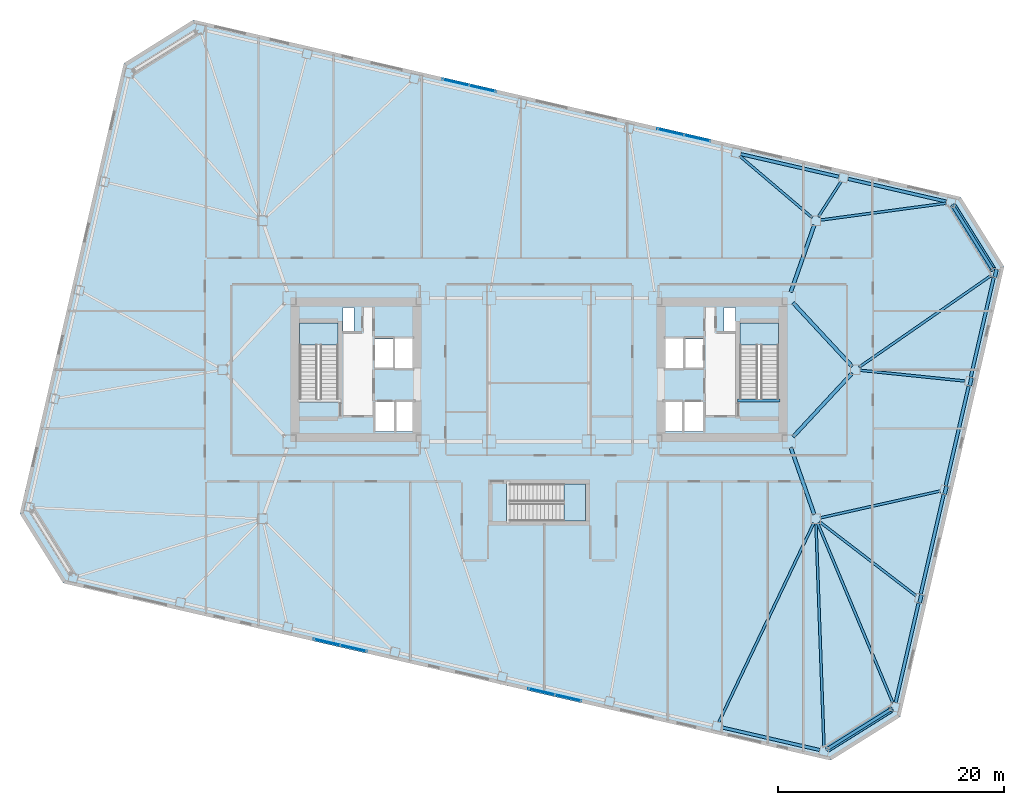
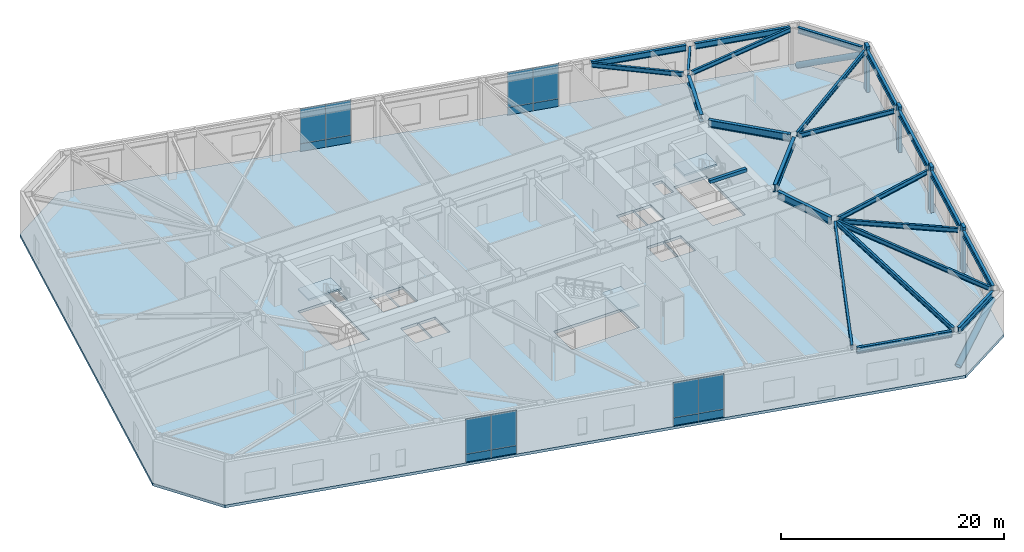
# One storey, part 8 of 20: 24 beams, 16 plates, 6 members, 4 slabs, 7 elements without a shape of their own.
"""IFC4 building model written with IfcOpenShell, lengths in metres."""

from ifc_helpers import new_model, si_unit, direction, frame, origin, origin_2d, place, context, subcontext, project, spatial, polyline, rectangle, hollow_circle, i_section, outline, extrude, material, layer, layer_set, material_profile, profile_set, type_object, element, aggregate, save


model = new_model("IFC4")

# Units and contexts
model_context = context("Model", 3, precision=1e-05, world=origin(), true_north=direction((0.0, 1.0)))
body_context = subcontext(model_context, "Body", "Model", "MODEL_VIEW")
ifc_project = project(units=[si_unit("LENGTHUNIT", "METRE"), si_unit("AREAUNIT", "SQUARE_METRE"), si_unit("VOLUMEUNIT", "CUBIC_METRE"), si_unit("PLANEANGLEUNIT", "RADIAN"), si_unit("MASSUNIT", "GRAM", prefix="KILO")], contexts=[model_context])

# Site, building, storey
site_placement = place(None, origin())
site = spatial("IfcSite", under=ifc_project, at=site_placement, CompositionType="ELEMENT")
building_placement = place(site_placement, origin())
building = spatial("IfcBuilding", under=site, at=building_placement, Name="Tavrogorsk Clinical Tower", CompositionType="ELEMENT")
storey_placement = place(building_placement, frame((0.0, 0.0, 13.39990234375)))
storey = spatial("IfcBuildingStorey", under=building, at=storey_placement, Name="L02", CompositionType="ELEMENT", Elevation=13.39990234375)

# Members
ifc_material_1 = material(Name="Structural steel S440", Category="steel")
ifc_material_profile_1 = material_profile(ifc_material_1, hollow_circle(Radius=0.304931640625, WallThickness=0.02490234375, at=origin_2d()), Name="CHS-610x25")
ifc_profile_set_1 = profile_set([ifc_material_profile_1], Name="Structural steel S440")
member_type_1 = type_object("IfcMemberType", Name="ExoBrace_CHS610", PredefinedType="BRACE", material=ifc_profile_set_1)
for number, where, z_axis, x_axis, name in (
    (1, (25.548828125, -33.5634765625, 0.4833984375), (0.757555520621, 0.473389900336, 0.449457045152), (-0.529932687483, 0.848039708231, 0.0), "L02 Corner Exoskeleton Brace S8-E1"),
    (2, (36.64453125, 14.496826171875, 0.4833984375), (0.473389900336, -0.757555520621, 0.449457045152), (0.848039708231, 0.529932687483, 0.0), "L02 Corner Exoskeleton Brace E5-N1"),
):
    element("IfcMember", number, at=place(storey_placement, frame(where, z_axis=z_axis, x_axis=x_axis)), inside=storey, type_object=member_type_1, Name=name, PredefinedType="BRACE", context=body_context, shape_type="SweptSolid", body=[
        extrude(hollow_circle(Radius=0.304931640625, WallThickness=0.02490234375, at=origin_2d()), origin(), (0.0, 0.0, 1.0), 7.416259765625),
    ])

# Beams
ifc_material_2 = material(Name="Structural steel S355", Category="steel")
ifc_material_profile_2 = material_profile(ifc_material_2, i_section(OverallWidth=0.219970703125, OverallDepth=0.5, WebThickness=0.012939453125, FlangeThickness=0.02001953125, at=origin_2d()), Name="B-500x220x13x20")
ifc_profile_set_2 = profile_set([ifc_material_profile_2], Name="Structural steel S355")
beam_type_1 = type_object("IfcBeamType", Name="FloorBeam_B500", PredefinedType="BEAM", material=ifc_profile_set_2)
beam_1_placement = place(storey_placement, frame((24.323486328125, -13.570068359375, 4.4501953125), z_axis=(-0.430503237889, -0.90258903282, 0.0), x_axis=(0.90258903282, -0.430503237889, 0.0)))
element("IfcBeam", 3, at=beam_1_placement, inside=storey, type_object=beam_type_1, Name="L02 Radial Floor Beam S7", PredefinedType="BEAM", context=body_context, shape_type="SweptSolid", body=[
    extrude(i_section(OverallWidth=0.219970703125, OverallDepth=0.5, WebThickness=0.012939453125, FlangeThickness=0.02001953125, at=origin_2d()), origin(), (0.0, 0.0, 1.0), 19.527587890625),
])
beam_2_placement = place(storey_placement, frame((24.5146484375, -13.609619140625, 4.4501953125), z_axis=(0.035968399295, -0.999352927775, 0.0), x_axis=(0.999352927775, 0.035968399295, 0.0)))
element("IfcBeam", 4, at=beam_2_placement, inside=storey, type_object=beam_type_1, Name="L02 Radial Floor Beam S8", PredefinedType="BEAM", context=body_context, shape_type="SweptSolid", body=[
    extrude(i_section(OverallWidth=0.219970703125, OverallDepth=0.5, WebThickness=0.012939453125, FlangeThickness=0.02001953125, at=origin_2d()), origin(), (0.0, 0.0, 1.0), 19.751953125),
])
beam_3_placement = place(storey_placement, frame((24.90625, 13.254638671875, 4.4501953125), z_axis=(0.991091561022, 0.133182272357, 0.0), x_axis=(-0.133182272357, 0.991091561022, 0.0)))
element("IfcBeam", 5, at=beam_3_placement, inside=storey, type_object=beam_type_1, Name="L02 Radial Floor Beam N1", PredefinedType="BEAM", context=body_context, shape_type="SweptSolid", body=[
    extrude(i_section(OverallWidth=0.219970703125, OverallDepth=0.5, WebThickness=0.012939453125, FlangeThickness=0.02001953125, at=origin_2d()), origin(), (0.0, 0.0, 1.0), 11.24072265625),
])
beam_4_placement = place(storey_placement, frame((24.722412109375, 13.54443359375, 4.4501953125), z_axis=(0.54237908978, 0.840133872052, 0.0), x_axis=(-0.840133872052, 0.54237908978, 0.0)))
element("IfcBeam", 6, at=beam_4_placement, inside=storey, type_object=beam_type_1, Name="L02 Radial Floor Beam N2", PredefinedType="BEAM", context=body_context, shape_type="SweptSolid", body=[
    extrude(i_section(OverallWidth=0.219970703125, OverallDepth=0.5, WebThickness=0.012939453125, FlangeThickness=0.02001953125, at=origin_2d()), origin(), (0.0, 0.0, 1.0), 3.70361328125),
])
beam_5_placement = place(storey_placement, frame((24.187744140625, 13.465576171875, 4.4501953125), z_axis=(-0.761805700094, 0.647805584496, 0.0), x_axis=(-0.647805584496, -0.761805700094, 0.0)))
element("IfcBeam", 7, at=beam_5_placement, inside=storey, type_object=beam_type_1, Name="L02 Radial Floor Beam N3", PredefinedType="BEAM", context=body_context, shape_type="SweptSolid", body=[
    extrude(i_section(OverallWidth=0.219970703125, OverallDepth=0.5, WebThickness=0.012939453125, FlangeThickness=0.02001953125, at=origin_2d()), origin(), (0.0, 0.0, 1.0), 8.431396484375),
])
beam_6_placement = place(storey_placement, frame((24.658447265625, -13.578125, 4.4501953125), z_axis=(0.386243430459, -0.922396884441, 0.0), x_axis=(0.922396884441, 0.386243430459, 0.0)))
element("IfcBeam", 8, at=beam_6_placement, inside=storey, type_object=beam_type_1, Name="L02 Radial Floor Beam E1", PredefinedType="BEAM", context=body_context, shape_type="SweptSolid", body=[
    extrude(i_section(OverallWidth=0.219970703125, OverallDepth=0.5, WebThickness=0.012939453125, FlangeThickness=0.02001953125, at=origin_2d()), origin(), (0.0, 0.0, 1.0), 17.243408203125),
])
beam_7_placement = place(storey_placement, frame((24.825439453125, -13.449462890625, 4.4501953125), z_axis=(0.7934457884, -0.608640929342, 0.0), x_axis=(0.608640929342, 0.7934457884, 0.0)))
element("IfcBeam", 9, at=beam_7_placement, inside=storey, type_object=beam_type_1, Name="L02 Radial Floor Beam E2", PredefinedType="BEAM", context=body_context, shape_type="SweptSolid", body=[
    extrude(i_section(OverallWidth=0.219970703125, OverallDepth=0.5, WebThickness=0.012939453125, FlangeThickness=0.02001953125, at=origin_2d()), origin(), (0.0, 0.0, 1.0), 10.769287109375),
])
beam_8_placement = place(storey_placement, frame((24.900146484375, -13.1103515625, 4.4501953125), z_axis=(0.975844140255, 0.218467878484, 0.0), x_axis=(-0.218467878484, 0.975844140255, 0.0)))
element("IfcBeam", 10, at=beam_8_placement, inside=storey, type_object=beam_type_1, Name="L02 Radial Floor Beam E3", PredefinedType="BEAM", context=body_context, shape_type="SweptSolid", body=[
    extrude(i_section(OverallWidth=0.219970703125, OverallDepth=0.5, WebThickness=0.012939453125, FlangeThickness=0.02001953125, at=origin_2d()), origin(), (0.0, 0.0, 1.0), 10.876708984375),
])
beam_9_placement = place(storey_placement, frame((28.407958984375, -0.041748046875, 4.4501953125), z_axis=(0.994791610226, -0.101929643501, 0.0), x_axis=(0.101929643501, 0.994791610226, 0.0)))
element("IfcBeam", 11, at=beam_9_placement, inside=storey, type_object=beam_type_1, Name="L02 Radial Floor Beam E4", PredefinedType="BEAM", context=body_context, shape_type="SweptSolid", body=[
    extrude(i_section(OverallWidth=0.219970703125, OverallDepth=0.5, WebThickness=0.012939453125, FlangeThickness=0.02001953125, at=origin_2d()), origin(), (0.0, 0.0, 1.0), 9.365234375),
])
beam_10_placement = place(storey_placement, frame((28.3369140625, 0.233642578125, 4.4501953125), z_axis=(0.82154295725, 0.570146620961, 0.0), x_axis=(-0.570146620961, 0.82154295725, 0.0)))
element("IfcBeam", 12, at=beam_10_placement, inside=storey, type_object=beam_type_1, Name="L02 Radial Floor Beam E5", PredefinedType="BEAM", context=body_context, shape_type="SweptSolid", body=[
    extrude(i_section(OverallWidth=0.219970703125, OverallDepth=0.5, WebThickness=0.012939453125, FlangeThickness=0.02001953125, at=origin_2d()), origin(), (0.0, 0.0, 1.0), 14.212646484375),
])

# Members
ifc_material_3 = material(Name="Precast concrete B45 with limestone cladding", Category="masonry")
ifc_material_profile_3 = material_profile(ifc_material_3, rectangle(XDim=0.320068359375, YDim=0.719970703125, at=origin_2d()), Name="LIMESTONE-FIN-320x720")
ifc_profile_set_3 = profile_set([ifc_material_profile_3], Name="Precast concrete B45 with limestone cladding")
member_type_2 = type_object("IfcMemberType", Name="LimestonePleatFin_320x720", PredefinedType="USERDEFINED", material=ifc_profile_set_3)
for number, where, z_axis, x_axis, name in (
    (13, (33.772216796875, -20.2705078125, 0.0), (0.0, 0.0, 1.0), (0.974370064785, -0.224951054344, 0.0), "L02 E Pleated Stone Fin 1"),
    (14, (35.990234375, -10.6630859375, 0.0), (0.0, 0.0, 1.0), (0.974370064785, -0.224951054344, 0.0), "L02 E Pleated Stone Fin 2"),
    (15, (38.208251953125, -1.055908203125, 0.0), (0.0, 0.0, 1.0), (0.974370064785, -0.224951054344, 0.0), "L02 E Pleated Stone Fin 3"),
    (16, (40.42626953125, 8.551513671875, 0.0), (0.0, 0.0, 1.0), (0.974370064785, -0.224951054344, 0.0), "L02 E Pleated Stone Fin 4"),
):
    element("IfcMember", number, at=place(storey_placement, frame(where, z_axis=z_axis, x_axis=x_axis)), inside=storey, type_object=member_type_2, Name=name, ObjectType="FIN", PredefinedType="USERDEFINED", context=body_context, shape_type="SweptSolid", body=[
        extrude(rectangle(XDim=0.320068359375, YDim=0.719970703125, at=origin_2d()), origin(), (0.0, 0.0, 1.0), 5.0),
    ])

# Beams
ifc_material_4 = material(Name="Structural steel S390", Category="steel")
ifc_material_profile_4 = material_profile(ifc_material_4, i_section(OverallWidth=0.320068359375, OverallDepth=0.800048828125, WebThickness=0.02001953125, FlangeThickness=0.033935546875, at=origin_2d()), Name="B-800x320x20x34")
ifc_profile_set_4 = profile_set([ifc_material_profile_4], Name="Structural steel S390")
beam_type_2 = type_object("IfcBeamType", Name="PrimaryGirder_B800", PredefinedType="USERDEFINED", material=ifc_profile_set_4)
for number, where, z_axis, x_axis, name in (
    (17, (24.364501953125, -12.81298828125, 4.300048828125), (-0.330668611543, 0.943746930771, 0.0), (-0.943746930771, -0.330668611543, 0.0), "L02 Spine Link Girder OPG-2"),
    (18, (24.364501953125, 12.81298828125, 4.300048828125), (-0.330668611543, -0.943746930771, 0.0), (0.943746930771, -0.330668611543, 0.0), "L02 Spine Link Girder OPG-4"),
):
    element("IfcBeam", number, at=place(storey_placement, frame(where, z_axis=z_axis, x_axis=x_axis)), inside=storey, type_object=beam_type_2, Name=name, ObjectType="GIRDER", PredefinedType="USERDEFINED", context=body_context, shape_type="SweptSolid", body=[
        extrude(i_section(OverallWidth=0.320068359375, OverallDepth=0.800048828125, WebThickness=0.02001953125, FlangeThickness=0.033935546875, at=origin_2d()), origin(), (0.0, 0.0, 1.0), 6.288330078125),
    ])
for number, where, z_axis, x_axis, name in (
    (19, (27.720947265625, -0.30029296875, 4.300048828125), (-0.680671250221, -0.732589004233, 0.0), (0.732589004233, -0.680671250221, 0.0), "L02 Spine Link Girder OPG-7"),
    (20, (27.720947265625, 0.30029296875, 4.300048828125), (-0.680671250221, 0.732589004233, 0.0), (-0.732589004233, -0.680671250221, 0.0), "L02 Spine Link Girder OPG-8"),
):
    element("IfcBeam", number, at=place(storey_placement, frame(where, z_axis=z_axis, x_axis=x_axis)), inside=storey, type_object=beam_type_2, Name=name, ObjectType="GIRDER", PredefinedType="USERDEFINED", context=body_context, shape_type="SweptSolid", body=[
        extrude(i_section(OverallWidth=0.320068359375, OverallDepth=0.800048828125, WebThickness=0.02001953125, FlangeThickness=0.033935546875, at=origin_2d()), origin(), (0.0, 0.0, 1.0), 7.697998046875),
    ])
ifc_material_5 = material(Name="Structural steel S390", Category="steel")
ifc_material_profile_5 = material_profile(ifc_material_5, i_section(OverallWidth=0.280029296875, OverallDepth=0.64990234375, WebThickness=0.01611328125, FlangeThickness=0.02490234375, at=origin_2d()), Name="B-650x280x16x25")
ifc_profile_set_5 = profile_set([ifc_material_profile_5], Name="Structural steel S390")
beam_type_3 = type_object("IfcBeamType", Name="SpandrelBeam_B650", PredefinedType="SPANDREL", material=ifc_profile_set_5)
beam_11_placement = place(storey_placement, frame((16.138427734375, -31.655517578125, 4.375), z_axis=(0.974372766602, -0.224939351168, 0.0), x_axis=(0.224939351168, 0.974372766602, 0.0)))
element("IfcBeam", 21, at=beam_11_placement, inside=storey, type_object=beam_type_3, Name="L02 Perimeter Spandrel S7-S8", PredefinedType="SPANDREL", context=body_context, shape_type="SweptSolid", body=[
    extrude(i_section(OverallWidth=0.280029296875, OverallDepth=0.64990234375, WebThickness=0.01611328125, FlangeThickness=0.02490234375, at=origin_2d()), origin(), (0.0, 0.0, 1.0), 8.9326171875),
])
beam_12_placement = place(storey_placement, frame((25.585693359375, -33.540283203125, 4.375), z_axis=(0.848061235793, 0.529898235839, 0.0), x_axis=(-0.529898235839, 0.848061235793, 0.0)))
element("IfcBeam", 22, at=beam_12_placement, inside=storey, type_object=beam_type_3, Name="L02 Perimeter Spandrel S8-E1", PredefinedType="SPANDREL", context=body_context, shape_type="SweptSolid", body=[
    extrude(i_section(OverallWidth=0.280029296875, OverallDepth=0.64990234375, WebThickness=0.01611328125, FlangeThickness=0.02490234375, at=origin_2d()), origin(), (0.0, 0.0, 1.0), 6.537841796875),
])
beam_13_placement = place(storey_placement, frame((31.56787109375, -29.462158203125, 4.375), z_axis=(0.224971881043, 0.974365256328, 0.0), x_axis=(-0.974365256328, 0.224971881043, 0.0)))
element("IfcBeam", 23, at=beam_13_placement, inside=storey, type_object=beam_type_3, Name="L02 Perimeter Spandrel E1-E2", PredefinedType="SPANDREL", context=body_context, shape_type="SweptSolid", body=[
    extrude(i_section(OverallWidth=0.280029296875, OverallDepth=0.64990234375, WebThickness=0.01611328125, FlangeThickness=0.02490234375, at=origin_2d()), origin(), (0.0, 0.0, 1.0), 9.044189453125),
])
for number, where, z_axis, x_axis, name in (
    (24, (33.785888671875, -19.85498046875, 4.375), (0.224946252597, 0.974371173343, 0.0), (-0.974371173343, 0.224946252597, 0.0), "L02 Perimeter Spandrel E2-E3"),
    (25, (36.00390625, -10.24755859375, 4.375), (0.224946252597, 0.974371173343, 0.0), (-0.974371173343, 0.224946252597, 0.0), "L02 Perimeter Spandrel E3-E4"),
):
    element("IfcBeam", number, at=place(storey_placement, frame(where, z_axis=z_axis, x_axis=x_axis)), inside=storey, type_object=beam_type_3, Name=name, PredefinedType="SPANDREL", context=body_context, shape_type="SweptSolid", body=[
        extrude(i_section(OverallWidth=0.280029296875, OverallDepth=0.64990234375, WebThickness=0.01611328125, FlangeThickness=0.02490234375, at=origin_2d()), origin(), (0.0, 0.0, 1.0), 9.0439453125),
    ])
beam_14_placement = place(storey_placement, frame((38.221923828125, -0.640380859375, 4.375), z_axis=(0.224971881043, 0.974365256328, 0.0), x_axis=(-0.974365256328, 0.224971881043, 0.0)))
element("IfcBeam", 26, at=beam_14_placement, inside=storey, type_object=beam_type_3, Name="L02 Perimeter Spandrel E4-E5", PredefinedType="SPANDREL", context=body_context, shape_type="SweptSolid", body=[
    extrude(i_section(OverallWidth=0.280029296875, OverallDepth=0.64990234375, WebThickness=0.01611328125, FlangeThickness=0.02490234375, at=origin_2d()), origin(), (0.0, 0.0, 1.0), 9.044189453125),
])
beam_15_placement = place(storey_placement, frame((40.132080078125, 8.91552734375, 4.375), z_axis=(-0.529925092475, 0.848044454239, 0.0), x_axis=(-0.848044454239, -0.529925092475, 0.0)))
element("IfcBeam", 27, at=beam_15_placement, inside=storey, type_object=beam_type_3, Name="L02 Perimeter Spandrel E5-N1", PredefinedType="SPANDREL", context=body_context, shape_type="SweptSolid", body=[
    extrude(i_section(OverallWidth=0.280029296875, OverallDepth=0.64990234375, WebThickness=0.01611328125, FlangeThickness=0.02490234375, at=origin_2d()), origin(), (0.0, 0.0, 1.0), 6.537841796875),
])
for number, where, z_axis, x_axis, name in (
    (28, (36.0537109375, 14.897705078125, 4.375), (-0.974366775889, 0.224965299645, 0.0), (-0.224965299645, -0.974366775889, 0.0), "L02 Perimeter Spandrel N1-N2"),
    (29, (26.554931640625, 17.090576171875, 4.375), (-0.974366775889, 0.224965299645, 0.0), (-0.224965299645, -0.974366775889, 0.0), "L02 Perimeter Spandrel N2-N3"),
):
    element("IfcBeam", number, at=place(storey_placement, frame(where, z_axis=z_axis, x_axis=x_axis)), inside=storey, type_object=beam_type_3, Name=name, PredefinedType="SPANDREL", context=body_context, shape_type="SweptSolid", body=[
        extrude(i_section(OverallWidth=0.280029296875, OverallDepth=0.64990234375, WebThickness=0.01611328125, FlangeThickness=0.02490234375, at=origin_2d()), origin(), (0.0, 0.0, 1.0), 8.9326171875),
    ])
ifc_material_6 = material(Name="Concrete B60", Category="concrete")
ifc_material_profile_6 = material_profile(ifc_material_6, rectangle(XDim=0.300048828125, YDim=0.35009765625, at=origin_2d()), Name="RC-SHB-300x350")
ifc_profile_set_6 = profile_set([ifc_material_profile_6], Name="Concrete B60")
beam_type_4 = type_object("IfcBeamType", Name="StairHeaderBeam_RC300x350", PredefinedType="BEAM", material=ifc_profile_set_6)
beam_16_placement = place(storey_placement, frame((17.550048828125, -2.719970703125, 4.8251953125), z_axis=(1.0, 0.0, 0.0), x_axis=(0.0, 1.0, 0.0)))
element("IfcBeam", 30, at=beam_16_placement, inside=storey, type_object=beam_type_4, Name="L03 ST-E Landing Header Beam", PredefinedType="BEAM", context=body_context, shape_type="SweptSolid", body=[
    extrude(rectangle(XDim=0.300048828125, YDim=0.35009765625, at=origin_2d()), origin(), (0.0, 0.0, 1.0), 3.800048828125),
])

# Curtain wall, plates
ifc_material_7 = material(Name="Anodised aluminium and triple IGU glazing", Category="aluminium")
ifc_layer_1 = layer(ifc_material_7, 0.179931640625)
ifc_layer_set_1 = layer_set([ifc_layer_1], Name="Anodised aluminium and triple IGU glazing")
curtain_wall_type_1 = type_object("IfcCurtainWallType", Name="CW3_SouthSlot", PredefinedType="NOTDEFINED", material=ifc_layer_set_1)
curtain_wall_1_placement = place(storey_placement, origin())
curtain_wall_1 = element("IfcCurtainWall", 31, at=curtain_wall_1_placement, inside=storey, type_object=curtain_wall_type_1, Name="L02 Curtain Wall CW-L02-S-SLOT-1", PredefinedType="NOTDEFINED")
ifc_material_8 = material(Name="Honed Podolsk limestone spandrel panel", Category="masonry")
ifc_layer_2 = layer(ifc_material_8, 0.080078125)
ifc_layer_set_2 = layer_set([ifc_layer_2], Name="Honed Podolsk limestone spandrel panel")
plate_type_1 = type_object("IfcPlateType", Name="CwSpandrelStonePanel_80", PredefinedType="CURTAIN_PANEL", material=ifc_layer_set_2)
plate_1_placement = place(storey_placement, frame((-18.79638671875, -24.113525390625, 0.002197265625), z_axis=(0.0, 0.0, 1.0), x_axis=(0.974370046851, -0.224951132027, 0.0)))
plate_1 = element("IfcPlate", 32, at=plate_1_placement, type_object=plate_type_1, Name="CW-L02-S-SLOT-1 Stone Spandrel Panel 1", PredefinedType="CURTAIN_PANEL", context=body_context, shape_type="SweptSolid", body=[
    extrude(rectangle(XDim=2.39208984375, YDim=0.080078125, at=origin_2d()), origin(), (0.0, 0.0, 1.0), 0.8359375),
])
plate_2_placement = place(storey_placement, frame((-16.442138671875, -24.656982421875, 0.002197265625), z_axis=(0.0, 0.0, 1.0), x_axis=(0.974370046851, -0.224951132027, 0.0)))
plate_2 = element("IfcPlate", 33, at=plate_2_placement, type_object=plate_type_1, Name="CW-L02-S-SLOT-1 Stone Spandrel Panel 2", PredefinedType="CURTAIN_PANEL", context=body_context, shape_type="SweptSolid", body=[
    extrude(rectangle(XDim=2.39208984375, YDim=0.080078125, at=origin_2d()), origin(), (0.0, 0.0, 1.0), 0.8359375),
])

curtain_wall_2_placement = place(storey_placement, origin())
curtain_wall_2 = element("IfcCurtainWall", 34, at=curtain_wall_2_placement, inside=storey, type_object=curtain_wall_type_1, Name="L02 Curtain Wall CW-L02-S-SLOT-2", PredefinedType="NOTDEFINED")
plate_3_placement = place(storey_placement, frame((0.201171875, -28.49951171875, 0.002197265625), z_axis=(0.0, 0.0, 1.0), x_axis=(0.974370102963, -0.224950888978, 0.0)))
plate_3 = element("IfcPlate", 35, at=plate_3_placement, type_object=plate_type_1, Name="CW-L02-S-SLOT-2 Stone Spandrel Panel 1", PredefinedType="CURTAIN_PANEL", context=body_context, shape_type="SweptSolid", body=[
    extrude(rectangle(XDim=2.39208984375, YDim=0.080078125, at=origin_2d()), origin(), (0.0, 0.0, 1.0), 0.8359375),
])
plate_4_placement = place(storey_placement, frame((2.55517578125, -29.04296875, 0.002197265625), z_axis=(0.0, 0.0, 1.0), x_axis=(0.974370102963, -0.224950888978, 0.0)))
plate_4 = element("IfcPlate", 36, at=plate_4_placement, type_object=plate_type_1, Name="CW-L02-S-SLOT-2 Stone Spandrel Panel 2", PredefinedType="CURTAIN_PANEL", context=body_context, shape_type="SweptSolid", body=[
    extrude(rectangle(XDim=2.39208984375, YDim=0.080078125, at=origin_2d()), origin(), (0.0, 0.0, 1.0), 0.8359375),
])

ifc_material_9 = material(Name="Anodised aluminium and triple IGU glazing", Category="aluminium")
ifc_layer_3 = layer(ifc_material_9, 0.179931640625)
ifc_layer_set_3 = layer_set([ifc_layer_3], Name="Anodised aluminium and triple IGU glazing")
curtain_wall_type_2 = type_object("IfcCurtainWallType", Name="CW2_NorthSlot", PredefinedType="NOTDEFINED", material=ifc_layer_set_3)
curtain_wall_3_placement = place(storey_placement, origin())
curtain_wall_3 = element("IfcCurtainWall", 37, at=curtain_wall_3_placement, inside=storey, type_object=curtain_wall_type_2, Name="L02 Curtain Wall CW-L02-N-SLOT-1", PredefinedType="NOTDEFINED")
plate_5_placement = place(storey_placement, frame((-5.001220703125, 24.8994140625, 0.002197265625), z_axis=(0.0, 0.0, 1.0), x_axis=(-0.974370102963, 0.224950888978, 0.0)))
plate_5 = element("IfcPlate", 38, at=plate_5_placement, type_object=plate_type_1, Name="CW-L02-N-SLOT-1 Stone Spandrel Panel 1", PredefinedType="CURTAIN_PANEL", context=body_context, shape_type="SweptSolid", body=[
    extrude(rectangle(XDim=2.39208984375, YDim=0.080078125, at=origin_2d()), origin(), (0.0, 0.0, 1.0), 0.8359375),
])
plate_6_placement = place(storey_placement, frame((-7.355224609375, 25.44287109375, 0.002197265625), z_axis=(0.0, 0.0, 1.0), x_axis=(-0.974370102963, 0.224950888978, 0.0)))
plate_6 = element("IfcPlate", 39, at=plate_6_placement, type_object=plate_type_1, Name="CW-L02-N-SLOT-1 Stone Spandrel Panel 2", PredefinedType="CURTAIN_PANEL", context=body_context, shape_type="SweptSolid", body=[
    extrude(rectangle(XDim=2.39208984375, YDim=0.080078125, at=origin_2d()), origin(), (0.0, 0.0, 1.0), 0.8359375),
])

curtain_wall_4_placement = place(storey_placement, origin())
curtain_wall_4 = element("IfcCurtainWall", 40, at=curtain_wall_4_placement, inside=storey, type_object=curtain_wall_type_2, Name="L02 Curtain Wall CW-L02-N-SLOT-2", PredefinedType="NOTDEFINED")
plate_7_placement = place(storey_placement, frame((13.996337890625, 20.513427734375, 0.002197265625), z_axis=(0.0, 0.0, 1.0), x_axis=(-0.974370046851, 0.224951132027, 0.0)))
plate_7 = element("IfcPlate", 41, at=plate_7_placement, type_object=plate_type_1, Name="CW-L02-N-SLOT-2 Stone Spandrel Panel 1", PredefinedType="CURTAIN_PANEL", context=body_context, shape_type="SweptSolid", body=[
    extrude(rectangle(XDim=2.39208984375, YDim=0.080078125, at=origin_2d()), origin(), (0.0, 0.0, 1.0), 0.8359375),
])
plate_8_placement = place(storey_placement, frame((11.642333984375, 21.05712890625, 0.002197265625), z_axis=(0.0, 0.0, 1.0), x_axis=(-0.974370046851, 0.224951132027, 0.0)))
plate_8 = element("IfcPlate", 42, at=plate_8_placement, type_object=plate_type_1, Name="CW-L02-N-SLOT-2 Stone Spandrel Panel 2", PredefinedType="CURTAIN_PANEL", context=body_context, shape_type="SweptSolid", body=[
    extrude(rectangle(XDim=2.39208984375, YDim=0.080078125, at=origin_2d()), origin(), (0.0, 0.0, 1.0), 0.8359375),
])

# Plate
ifc_material_10 = material(Name="Triple low-E argon insulated glass", Category="glass")
ifc_layer_4 = layer(ifc_material_10, 0.048095703125)
ifc_layer_set_4 = layer_set([ifc_layer_4], Name="Triple low-E argon insulated glass")
plate_type_2 = type_object("IfcPlateType", Name="CwVisionGlassPanel_48", PredefinedType="CURTAIN_PANEL", material=ifc_layer_set_4)
plate_9_placement = place(storey_placement, frame((-18.79638671875, -24.113525390625, 0.862060546875), z_axis=(0.0, 0.0, 1.0), x_axis=(0.974370046851, -0.224951132027, 0.0)))
plate_9 = element("IfcPlate", 43, at=plate_9_placement, type_object=plate_type_2, Name="CW-L02-S-SLOT-1 Glazing Panel 1", PredefinedType="CURTAIN_PANEL", context=body_context, shape_type="SweptSolid", body=[
    extrude(rectangle(XDim=2.39208984375, YDim=0.048095703125, at=origin_2d()), origin(), (0.0, 0.0, 1.0), 3.8359375),
])

plate_10_placement = place(storey_placement, frame((-16.442138671875, -24.656982421875, 0.862060546875), z_axis=(0.0, 0.0, 1.0), x_axis=(0.974370046851, -0.224951132027, 0.0)))
plate_10 = element("IfcPlate", 44, at=plate_10_placement, type_object=plate_type_2, Name="CW-L02-S-SLOT-1 Glazing Panel 2", PredefinedType="CURTAIN_PANEL", context=body_context, shape_type="SweptSolid", body=[
    extrude(rectangle(XDim=2.39208984375, YDim=0.048095703125, at=origin_2d()), origin(), (0.0, 0.0, 1.0), 3.8359375),
])

aggregate(curtain_wall_1, [plate_1, plate_9, plate_2, plate_10])

plate_11_placement = place(storey_placement, frame((0.201171875, -28.49951171875, 0.862060546875), z_axis=(0.0, 0.0, 1.0), x_axis=(0.974370102963, -0.224950888978, 0.0)))
plate_11 = element("IfcPlate", 45, at=plate_11_placement, type_object=plate_type_2, Name="CW-L02-S-SLOT-2 Glazing Panel 1", PredefinedType="CURTAIN_PANEL", context=body_context, shape_type="SweptSolid", body=[
    extrude(rectangle(XDim=2.39208984375, YDim=0.048095703125, at=origin_2d()), origin(), (0.0, 0.0, 1.0), 3.8359375),
])

plate_12_placement = place(storey_placement, frame((2.55517578125, -29.04296875, 0.862060546875), z_axis=(0.0, 0.0, 1.0), x_axis=(0.974370102963, -0.224950888978, 0.0)))
plate_12 = element("IfcPlate", 46, at=plate_12_placement, type_object=plate_type_2, Name="CW-L02-S-SLOT-2 Glazing Panel 2", PredefinedType="CURTAIN_PANEL", context=body_context, shape_type="SweptSolid", body=[
    extrude(rectangle(XDim=2.39208984375, YDim=0.048095703125, at=origin_2d()), origin(), (0.0, 0.0, 1.0), 3.8359375),
])

aggregate(curtain_wall_2, [plate_3, plate_11, plate_4, plate_12])

plate_13_placement = place(storey_placement, frame((-5.001220703125, 24.8994140625, 0.862060546875), z_axis=(0.0, 0.0, 1.0), x_axis=(-0.974370102963, 0.224950888978, 0.0)))
plate_13 = element("IfcPlate", 47, at=plate_13_placement, type_object=plate_type_2, Name="CW-L02-N-SLOT-1 Glazing Panel 1", PredefinedType="CURTAIN_PANEL", context=body_context, shape_type="SweptSolid", body=[
    extrude(rectangle(XDim=2.39208984375, YDim=0.048095703125, at=origin_2d()), origin(), (0.0, 0.0, 1.0), 3.8359375),
])

plate_14_placement = place(storey_placement, frame((-7.355224609375, 25.44287109375, 0.862060546875), z_axis=(0.0, 0.0, 1.0), x_axis=(-0.974370102963, 0.224950888978, 0.0)))
plate_14 = element("IfcPlate", 48, at=plate_14_placement, type_object=plate_type_2, Name="CW-L02-N-SLOT-1 Glazing Panel 2", PredefinedType="CURTAIN_PANEL", context=body_context, shape_type="SweptSolid", body=[
    extrude(rectangle(XDim=2.39208984375, YDim=0.048095703125, at=origin_2d()), origin(), (0.0, 0.0, 1.0), 3.8359375),
])

aggregate(curtain_wall_3, [plate_5, plate_13, plate_6, plate_14])

plate_15_placement = place(storey_placement, frame((13.996337890625, 20.513427734375, 0.862060546875), z_axis=(0.0, 0.0, 1.0), x_axis=(-0.974370046851, 0.224951132027, 0.0)))
plate_15 = element("IfcPlate", 49, at=plate_15_placement, type_object=plate_type_2, Name="CW-L02-N-SLOT-2 Glazing Panel 1", PredefinedType="CURTAIN_PANEL", context=body_context, shape_type="SweptSolid", body=[
    extrude(rectangle(XDim=2.39208984375, YDim=0.048095703125, at=origin_2d()), origin(), (0.0, 0.0, 1.0), 3.8359375),
])

plate_16_placement = place(storey_placement, frame((11.642333984375, 21.05712890625, 0.862060546875), z_axis=(0.0, 0.0, 1.0), x_axis=(-0.974370046851, 0.224951132027, 0.0)))
plate_16 = element("IfcPlate", 50, at=plate_16_placement, type_object=plate_type_2, Name="CW-L02-N-SLOT-2 Glazing Panel 2", PredefinedType="CURTAIN_PANEL", context=body_context, shape_type="SweptSolid", body=[
    extrude(rectangle(XDim=2.39208984375, YDim=0.048095703125, at=origin_2d()), origin(), (0.0, 0.0, 1.0), 3.8359375),
])

aggregate(curtain_wall_4, [plate_7, plate_15, plate_8, plate_16])

# Slab
ifc_material_11 = material(Name="Concrete B60", Category="concrete")
ifc_layer_5 = layer(ifc_material_11, 0.300048828125)
ifc_layer_set_5 = layer_set([ifc_layer_5], Name="Concrete B60")
slab_type_1 = type_object("IfcSlabType", Name="PodiumSlab_300", PredefinedType="FLOOR", material=ifc_layer_set_5)
slab_1_placement = place(storey_placement, frame((0.0, 0.0, -0.2998046875)))
element("IfcSlab", 51, at=slab_1_placement, inside=storey, type_object=slab_type_1, Name="L02 Structural Slab", PredefinedType="FLOOR", context=body_context, shape_type="SweptSolid", body=[
    extrude(outline(polyline([(-42.06689453125, -18.91552734375), (25.749267578125, -34.572265625), (31.98583984375, -30.67529296875), (41.163818359375, 9.0791015625), (37.266845703125, 15.315673828125), (-30.54931640625, 30.97216796875), (-36.785888671875, 27.0751953125), (-45.9638671875, -12.67919921875), (-42.06689453125, -18.91552734375)]), holes=[polyline([(-17.800048828125, -2.8798828125), (-17.800048828125, 4.125), (-21.199951171875, 4.125), (-21.199951171875, -2.8798828125), (-17.800048828125, -2.8798828125)]), polyline([(21.199951171875, -2.8798828125), (21.199951171875, 4.125), (17.800048828125, 4.125), (17.800048828125, -2.8798828125), (21.199951171875, -2.8798828125)]), polyline([(-2.8798828125, -13.39990234375), (4.125, -13.39990234375), (4.125, -10.10009765625), (-2.8798828125, -10.10009765625), (-2.8798828125, -13.39990234375)]), polyline([(-14.6201171875, 0.169921875), (-12.860107421875, 0.169921875), (-12.860107421875, 2.72998046875), (-14.6201171875, 2.72998046875), (-14.6201171875, 0.169921875)]), polyline([(-14.530029296875, -5.47998046875), (-12.77001953125, -5.47998046875), (-12.77001953125, -2.820068359375), (-14.530029296875, -2.820068359375), (-14.530029296875, -5.47998046875)]), polyline([(-12.72998046875, -5.47998046875), (-10.969970703125, -5.47998046875), (-10.969970703125, -2.820068359375), (-12.72998046875, -2.820068359375), (-12.72998046875, -5.47998046875)]), polyline([(-12.840087890625, 0.1201171875), (-11.080078125, 0.1201171875), (-11.080078125, 2.780029296875), (-12.840087890625, 2.780029296875), (-12.840087890625, 0.1201171875)]), polyline([(12.860107421875, 0.169921875), (14.6201171875, 0.169921875), (14.6201171875, 2.72998046875), (12.860107421875, 2.72998046875), (12.860107421875, 0.169921875)]), polyline([(12.77001953125, -5.47998046875), (14.530029296875, -5.47998046875), (14.530029296875, -2.820068359375), (12.77001953125, -2.820068359375), (12.77001953125, -5.47998046875)]), polyline([(10.969970703125, -5.47998046875), (12.72998046875, -5.47998046875), (12.72998046875, -2.820068359375), (10.969970703125, -2.820068359375), (10.969970703125, -5.47998046875)]), polyline([(11.080078125, 0.1201171875), (12.840087890625, 0.1201171875), (12.840087890625, 2.780029296875), (11.080078125, 2.780029296875), (11.080078125, 0.1201171875)]), polyline([(-17.3798828125, 3.449951171875), (-16.3798828125, 3.449951171875), (-16.3798828125, 5.5), (-17.3798828125, 5.5), (-17.3798828125, 3.449951171875)]), polyline([(16.3798828125, 3.449951171875), (17.3798828125, 3.449951171875), (17.3798828125, 5.5), (16.3798828125, 5.5), (16.3798828125, 3.449951171875)])]), origin(), (0.0, 0.0, 1.0), 0.2998046875),
])

# Stair, slab
ifc_material_12 = material(Name="Concrete B60", Category="concrete")
stair_type = type_object("IfcStairType", Name="CoreStairAssembly", PredefinedType="HALF_TURN_STAIR", material=ifc_material_12)
stair_1_placement = place(storey_placement, origin())
stair_1 = element("IfcStair", 52, at=stair_1_placement, inside=storey, type_object=stair_type, Name="L02 ST-W", PredefinedType="HALF_TURN_STAIR")
ifc_material_13 = material(Name="Concrete B60", Category="concrete")
ifc_layer_6 = layer(ifc_material_13, 0.199951171875)
ifc_layer_set_6 = layer_set([ifc_layer_6], Name="Concrete B60")
slab_type_2 = type_object("IfcSlabType", Name="StairLanding_200", PredefinedType="LANDING", material=ifc_layer_set_6)
slab_2_placement = place(storey_placement, frame((0.0, 0.0, 2.300048828125)))
slab_2 = element("IfcSlab", 53, at=slab_2_placement, type_object=slab_type_2, Name="ST-W landing 1", PredefinedType="LANDING", context=body_context, shape_type="SweptSolid", body=[
    extrude(outline(polyline([(-17.800048828125, 2.18505859375), (-17.800048828125, 4.125), (-21.199951171875, 4.125), (-21.199951171875, 2.18505859375), (-17.800048828125, 2.18505859375)])), origin(), (0.0, 0.0, 1.0), 0.199951171875),
])
aggregate(stair_1, [slab_2])

stair_2_placement = place(storey_placement, origin())
stair_2 = element("IfcStair", 54, at=stair_2_placement, inside=storey, type_object=stair_type, Name="L02 ST-E", PredefinedType="HALF_TURN_STAIR")
slab_3_placement = place(storey_placement, frame((0.0, 0.0, 2.300048828125)))
slab_3 = element("IfcSlab", 55, at=slab_3_placement, type_object=slab_type_2, Name="ST-E landing 1", PredefinedType="LANDING", context=body_context, shape_type="SweptSolid", body=[
    extrude(outline(polyline([(21.199951171875, 2.18505859375), (21.199951171875, 4.125), (17.800048828125, 4.125), (17.800048828125, 2.18505859375), (21.199951171875, 2.18505859375)])), origin(), (0.0, 0.0, 1.0), 0.199951171875),
])
aggregate(stair_2, [slab_3])

stair_3_placement = place(storey_placement, origin())
stair_3 = element("IfcStair", 56, at=stair_3_placement, inside=storey, type_object=stair_type, Name="L02 ST-P", PredefinedType="HALF_TURN_STAIR")
slab_4_placement = place(storey_placement, frame((0.0, 0.0, 2.300048828125)))
slab_4 = element("IfcSlab", 57, at=slab_4_placement, type_object=slab_type_2, Name="ST-P landing 1", PredefinedType="LANDING", context=body_context, shape_type="SweptSolid", body=[
    extrude(outline(polyline([(2.18505859375, -13.39990234375), (4.125, -13.39990234375), (4.125, -10.10009765625), (2.18505859375, -10.10009765625), (2.18505859375, -13.39990234375)])), origin(), (0.0, 0.0, 1.0), 0.199951171875),
])
aggregate(stair_3, [slab_4])

save(model, "model.ifc")
